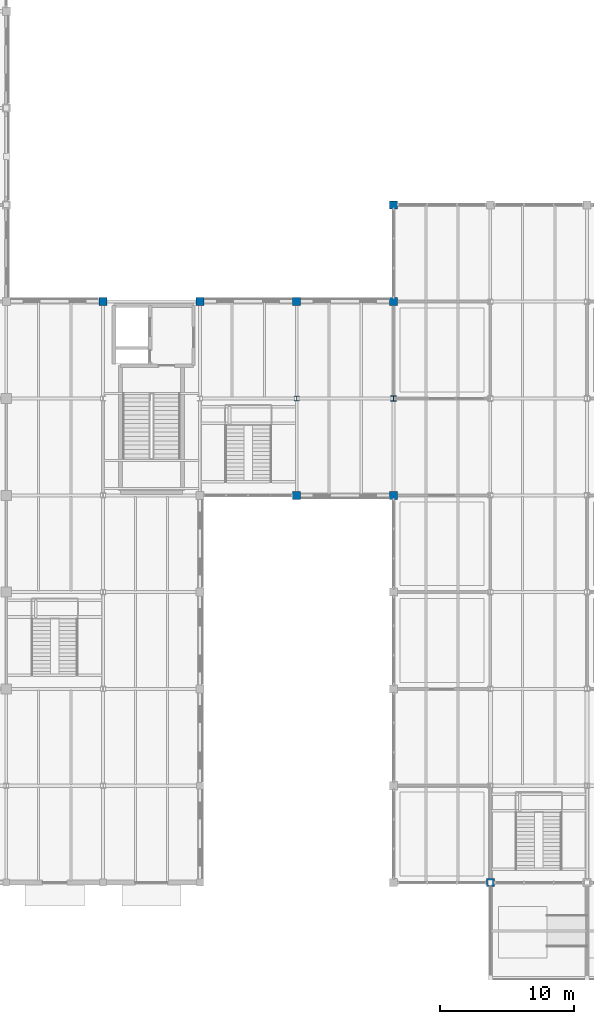
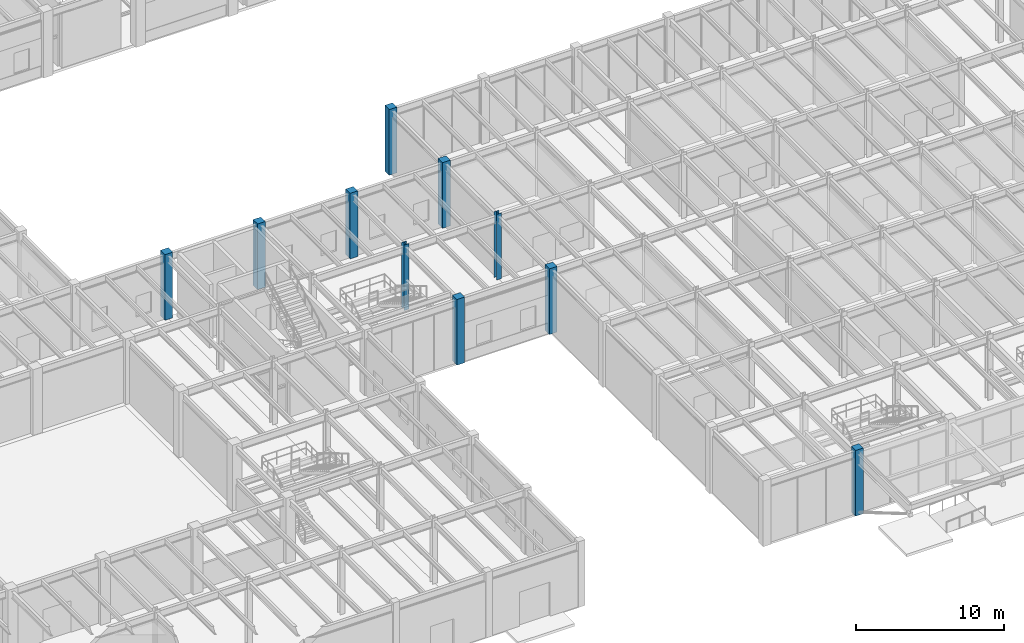
# One storey, part 4 of 97: 10 columns.
"""IFC4 building model written with IfcOpenShell, lengths in metres."""

import ifcopenshell
import ifcopenshell.guid

model = None  # the IFC model being written
_history = None  # IfcOwnerHistory: only IFC2X3 demands one
_inside = {}  # id of a spatial element -> (the spatial element, [elements in it])
_under = {}  # id of a project, library or spatial element -> (it, [spatial elements below it])
_declared = {}  # id of a project -> (the project, [libraries it declares])
_typed = {}  # id of a type object -> (the type object, [elements of that type])
_made_of = {}  # id of a material, layer set ... -> (it, [elements and type objects made of it])


def new_model(schema):
    """Start an empty IFC model of exactly this schema.

    Asked for "IFC4X3", IfcOpenShell would pick the latest addendum, in which some entities
    have other attributes; the version numbers below select the first issue.
    IFC2X3 requires an IfcOwnerHistory on every rooted entity: one is made here for all.
    """
    global model, _history
    if schema == "IFC4X3":
        model = ifcopenshell.file(schema_version=(4, 3, 0, 0))
    else:
        model = ifcopenshell.file(schema=schema)
    _inside.clear()
    _under.clear()
    _declared.clear()
    _typed.clear()
    _made_of.clear()
    _history = None
    if model.schema == "IFC2X3":
        org = make("IfcOrganization", Name="unknown")
        user = make(
            "IfcPersonAndOrganization",
            ThePerson=make("IfcPerson", FamilyName="unknown"),
            TheOrganization=org,
        )
        app = make(
            "IfcApplication",
            ApplicationDeveloper=org,
            Version="unknown",
            ApplicationFullName="unknown",
            ApplicationIdentifier="unknown",
        )
        _history = make(
            "IfcOwnerHistory",
            OwningUser=user,
            OwningApplication=app,
            ChangeAction="ADDED",
            CreationDate=0,
        )
    return model


def make(cls, **values):
    """One entity of the class cls with the attributes given. An attribute that is None is left unset."""
    return model.create_entity(
        cls, **{name: value for name, value in values.items() if value is not None}
    )


def rooted(cls, **values):
    """An entity with a GlobalId (a new one), such as an element, a storey or a relation."""
    return make(cls, GlobalId=ifcopenshell.guid.new(), OwnerHistory=_history, **values)


def si_unit(unit_type, name, prefix=None):
    """IfcSIUnit, for example si_unit("LENGTHUNIT", "METRE", prefix="MILLI")."""
    return make("IfcSIUnit", UnitType=unit_type, Prefix=prefix, Name=name)


def assignment(units):
    """IfcUnitAssignment: the units of a project."""
    return None if units is None else make("IfcUnitAssignment", Units=units)


def point(xyz):
    """IfcCartesianPoint."""
    return None if xyz is None else make("IfcCartesianPoint", Coordinates=xyz)


def direction(xyz):
    """IfcDirection."""
    return None if xyz is None else make("IfcDirection", DirectionRatios=xyz)


def frame(location, z_axis=None, x_axis=None):
    """IfcAxis2Placement3D, a coordinate frame: its origin and axes. An axis left out is left unset."""
    return make(
        "IfcAxis2Placement3D",
        Location=point(location),
        Axis=direction(z_axis),
        RefDirection=direction(x_axis),
    )


def frame_2d(location, x_axis=None):
    """IfcAxis2Placement2D, a coordinate frame in the plane: its origin and x axis."""
    return make(
        "IfcAxis2Placement2D", Location=point(location), RefDirection=direction(x_axis)
    )


def origin():
    """The frame at (0, 0, 0) with its axes left unset."""
    return frame((0.0, 0.0, 0.0))


def origin_2d():
    """The frame at (0, 0) in the plane with its x axis left unset."""
    return frame_2d((0.0, 0.0))


def place(relative_to, where):
    """IfcLocalPlacement: puts the frame where relative to a parent placement (None: the world)."""
    return make(
        "IfcLocalPlacement", PlacementRelTo=relative_to, RelativePlacement=where
    )


def context(
    kind, dimensions, precision=None, world=None, true_north=None, identifier=None
):
    """IfcGeometricRepresentationContext, for example the 3D "Model" context."""
    return make(
        "IfcGeometricRepresentationContext",
        ContextIdentifier=identifier,
        ContextType=kind,
        CoordinateSpaceDimension=dimensions,
        Precision=precision,
        WorldCoordinateSystem=world,
        TrueNorth=true_north,
    )


def subcontext(parent, identifier, kind, view, scale=None):
    """IfcGeometricRepresentationSubContext, for example "Body" below "Model"."""
    return make(
        "IfcGeometricRepresentationSubContext",
        ContextIdentifier=identifier,
        ContextType=kind,
        ParentContext=parent,
        TargetScale=scale,
        TargetView=view,
    )


def project(units=None, contexts=None):
    """IfcProject with its units and contexts."""
    return rooted(
        "IfcProject",
        Name="project",
        RepresentationContexts=contexts,
        UnitsInContext=assignment(units),
    )


def spatial(cls, under=None, at=None, **own):
    """A site, building, storey or space (cls), placed at a placement, below another one or the project."""
    s = rooted(cls, ObjectPlacement=at, **own)
    if under is not None:
        _under.setdefault(under.id(), (under, []))[1].append(s)
    return s


def profile(cls, at=None, kind="AREA", **sizes):
    """A parametric profile (cls). Its sizes go by their IFC names, for example OverallWidth=200.0."""
    return make(cls, ProfileType=kind, Position=at, **sizes)


def rectangle(**sizes):
    """IfcRectangleProfileDef."""
    return profile("IfcRectangleProfileDef", **sizes)


def i_section(**sizes):
    """IfcIShapeProfileDef."""
    return profile("IfcIShapeProfileDef", **sizes)


def extrude(swept, where, along, depth):
    """IfcExtrudedAreaSolid: the profile swept, set in the frame where, extruded along a direction by depth."""
    return make(
        "IfcExtrudedAreaSolid",
        SweptArea=swept,
        Position=where,
        ExtrudedDirection=direction(along),
        Depth=depth,
    )


def shape(context_of_items, identifier, shape_type, items):
    """IfcShapeRepresentation: the items that make up one representation, for example the "Body"."""
    return make(
        "IfcShapeRepresentation",
        ContextOfItems=context_of_items,
        RepresentationIdentifier=identifier,
        RepresentationType=shape_type,
        Items=items,
    )


def material(Name=None, Category=None):
    """IfcMaterial."""
    return make("IfcMaterial", Name=Name, Category=Category)


def material_profile(
    of_material, cross_section, Name=None, Category=None, Priority=None
):
    """IfcMaterialProfile: a cross section and its material."""
    return make(
        "IfcMaterialProfile",
        Name=Name,
        Material=of_material,
        Profile=cross_section,
        Priority=Priority,
        Category=Category,
    )


def profile_set(profiles, Name=None, composite=None):
    """IfcMaterialProfileSet."""
    return make(
        "IfcMaterialProfileSet",
        Name=Name,
        MaterialProfiles=profiles,
        CompositeProfile=composite,
    )


def made_of(thing, what):
    """Note that an element or type object is made of a material, layer set ...; save() writes the relation."""
    if what is not None:
        _made_of.setdefault(what.id(), (what, []))[1].append(thing)
    return thing


def type_object(cls, material=None, **own):
    """A type object (cls), such as IfcWallType, which elements share."""
    return made_of(rooted(cls, **own), material)


def element(
    cls,
    number,
    at=None,
    inside=None,
    cuts=None,
    type_object=None,
    material=None,
    context=None,
    identifier="Body",
    shape_type=None,
    held_by="IfcProductDefinitionShape",
    body=None,
    shapes=None,
    **own,
):
    """One element of the class cls, such as IfcWall. Its Tag is "e" and its number.

    at: its placement. inside: the storey or other place that contains it. cuts: it is an
    opening in that element (IfcRelVoidsElement). A single representation is given by context,
    identifier, shape_type and body (its items); several are given by shapes. held_by: the class
    of the entity that holds the representations. save() writes the other relations.
    """
    e = rooted(cls, Tag="e%d" % number, ObjectPlacement=at, **own)
    if body is not None:
        shapes = [shape(context, identifier, shape_type, body)]
    if shapes is not None:
        e.Representation = make(held_by, Representations=shapes)
    if inside is not None:
        _inside.setdefault(inside.id(), (inside, []))[1].append(e)
    if cuts is not None:
        rooted(
            "IfcRelVoidsElement", RelatingBuildingElement=cuts, RelatedOpeningElement=e
        )
    if type_object is not None:
        _typed.setdefault(type_object.id(), (type_object, []))[1].append(e)
    return made_of(e, material)


def aggregate(whole, parts):
    """IfcRelAggregates: a whole, such as a stair, and the parts it consists of."""
    return rooted("IfcRelAggregates", RelatingObject=whole, RelatedObjects=parts)


def save(model, path):
    """Write the relations noted so far, then the file.

    IfcRelAggregates (storeys below a building ...), IfcRelContainedInSpatialStructure (elements
    in a storey), IfcRelDefinesByType, IfcRelAssociatesMaterial and IfcRelDeclares: one each for
    every whole, place, type object, material and project.
    """
    for whole, parts in _under.values():
        aggregate(whole, parts)
    for where, things in _inside.values():
        rooted(
            "IfcRelContainedInSpatialStructure",
            RelatedElements=things,
            RelatingStructure=where,
        )
    for kind, things in _typed.values():
        rooted("IfcRelDefinesByType", RelatedObjects=things, RelatingType=kind)
    for what, things in _made_of.values():
        rooted("IfcRelAssociatesMaterial", RelatedObjects=things, RelatingMaterial=what)
    for by, libraries in _declared.values():
        rooted("IfcRelDeclares", RelatingContext=by, RelatedDefinitions=libraries)
    model.write(path)


model = new_model("IFC4")

# Units and contexts
model_context = context("Model", 3, precision=1e-05, world=origin(), true_north=direction((0.0, 1.0)))
body_context = subcontext(model_context, "Body", "Model", "MODEL_VIEW")
ifc_project = project(units=[si_unit("LENGTHUNIT", "METRE"), si_unit("AREAUNIT", "SQUARE_METRE"), si_unit("VOLUMEUNIT", "CUBIC_METRE"), si_unit("PLANEANGLEUNIT", "RADIAN"), si_unit("MASSUNIT", "GRAM", prefix="KILO")], contexts=[model_context])

# Site, building, storey
site_placement = place(None, origin())
site = spatial("IfcSite", under=ifc_project, at=site_placement, CompositionType="ELEMENT")
building_placement = place(site_placement, origin())
building = spatial("IfcBuilding", under=site, at=building_placement, Name="Sillqori Civic Hall", CompositionType="ELEMENT")
storey_placement = place(building_placement, origin())
storey = spatial("IfcBuildingStorey", under=building, at=storey_placement, Name="L01", CompositionType="ELEMENT", Elevation=0.0)

# Columns
ifc_material_1 = material(Name="Concrete C35/45 (H35)", Category="concrete")
ifc_material_profile_1 = material_profile(ifc_material_1, rectangle(XDim=0.60009765625, YDim=0.60009765625, at=origin_2d()), Name="RC 600x600")
ifc_profile_set_1 = profile_set([ifc_material_profile_1], Name="Concrete C35/45 (H35)")
column_type_1 = type_object("IfcColumnType", Name="COL-RC600", PredefinedType="COLUMN", material=ifc_profile_set_1)
for number, where, z_axis, x_axis, name in (
    (1, (43.199951171875, 50.39990234375, 0.0), (0.0, 0.0, 1.0), (1.0, 0.0, 0.0), "L01 column 6-7"),
    (2, (50.39990234375, 50.39990234375, 0.0), (0.0, 0.0, 1.0), (1.0, 0.0, 0.0), "L01 column 7-7"),
    (3, (57.60009765625, 36.0, 0.0), (0.0, 0.0, 1.0), (1.0, 0.0, 0.0), "L01 column 8-5"),
    (4, (57.60009765625, 50.39990234375, 0.0), (0.0, 0.0, 1.0), (1.0, 0.0, 0.0), "L01 column 8-7"),
    (5, (64.800048828125, 36.0, 0.0), (0.0, 0.0, 1.0), (1.0, 0.0, 0.0), "L01 column 9-5"),
    (6, (64.800048828125, 50.39990234375, 0.0), (0.0, 0.0, 1.0), (1.0, 0.0, 0.0), "L01 column 9-7"),
    (7, (64.800048828125, 57.60009765625, 0.0), (0.0, 0.0, 1.0), (1.0, 0.0, 0.0), "L01 column 9-8"),
    (8, (72.0, 7.199951171875, 0.0), (0.0, 0.0, 1.0), (1.0, 0.0, 0.0), "L01 column 10-1"),
):
    element("IfcColumn", number, at=place(storey_placement, frame(where, z_axis=z_axis, x_axis=x_axis)), inside=storey, type_object=column_type_1, Name=name, PredefinedType="COLUMN", context=body_context, shape_type="SweptSolid", body=[
        extrude(rectangle(XDim=0.60009765625, YDim=0.60009765625, at=origin_2d()), origin(), (0.0, 0.0, 1.0), 5.39990234375),
    ])
ifc_material_2 = material(Name="Steel ASTM A992", Category="steel")
ifc_material_profile_2 = material_profile(ifc_material_2, i_section(OverallWidth=0.373046875, OverallDepth=0.367919921875, WebThickness=0.014892578125, FlangeThickness=0.02392578125, FilletRadius=0.014892578125, at=origin_2d()), Name="W14X120")
ifc_profile_set_2 = profile_set([ifc_material_profile_2], Name="Steel ASTM A992")
column_type_2 = type_object("IfcColumnType", Name="COL-W14X120", PredefinedType="COLUMN", material=ifc_profile_set_2)
column_1_placement = place(storey_placement, frame((57.60009765625, 43.199951171875, 0.0), z_axis=(0.0, 0.0, 1.0), x_axis=(1.0, 0.0, 0.0)))
element("IfcColumn", 9, at=column_1_placement, inside=storey, type_object=column_type_2, Name="L01 column 8-6", PredefinedType="COLUMN", context=body_context, shape_type="SweptSolid", body=[
    extrude(i_section(OverallWidth=0.373046875, OverallDepth=0.367919921875, WebThickness=0.014892578125, FlangeThickness=0.02392578125, FilletRadius=0.014892578125, at=origin_2d()), origin(), (0.0, 0.0, 1.0), 5.39990234375),
])
ifc_material_profile_3 = material_profile(ifc_material_2, i_section(OverallWidth=0.39404296875, OverallDepth=0.3759765625, WebThickness=0.017333984375, FlangeThickness=0.027587890625, FilletRadius=0.014892578125, at=origin_2d()), Name="W14X145")
ifc_profile_set_3 = profile_set([ifc_material_profile_3], Name="Steel ASTM A992")
column_type_3 = type_object("IfcColumnType", Name="COL-W14X145", PredefinedType="COLUMN", material=ifc_profile_set_3)
column_2_placement = place(storey_placement, frame((64.800048828125, 43.199951171875, 0.0), z_axis=(0.0, 0.0, 1.0), x_axis=(1.0, 0.0, 0.0)))
element("IfcColumn", 10, at=column_2_placement, inside=storey, type_object=column_type_3, Name="L01 column 9-6", PredefinedType="COLUMN", context=body_context, shape_type="SweptSolid", body=[
    extrude(i_section(OverallWidth=0.39404296875, OverallDepth=0.3759765625, WebThickness=0.017333984375, FlangeThickness=0.027587890625, FilletRadius=0.014892578125, at=origin_2d()), origin(), (0.0, 0.0, 1.0), 5.39990234375),
])

save(model, "model.ifc")
